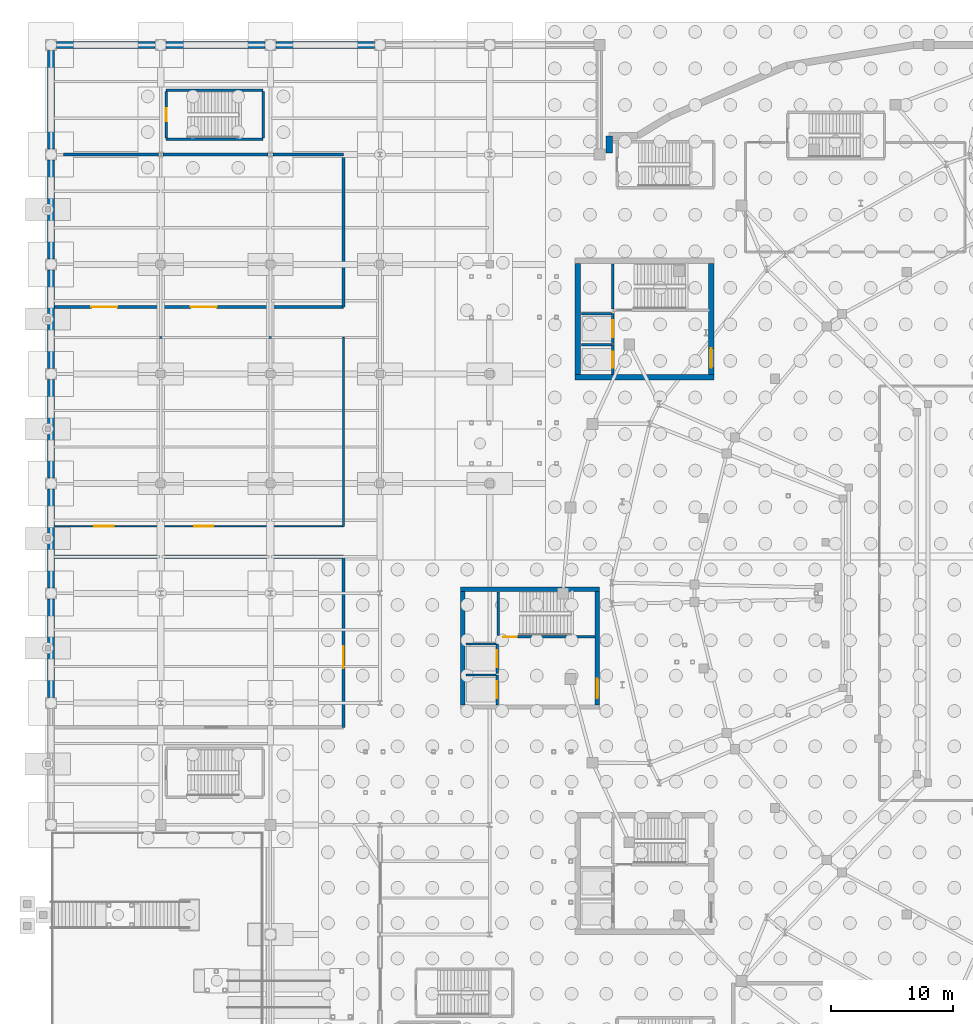
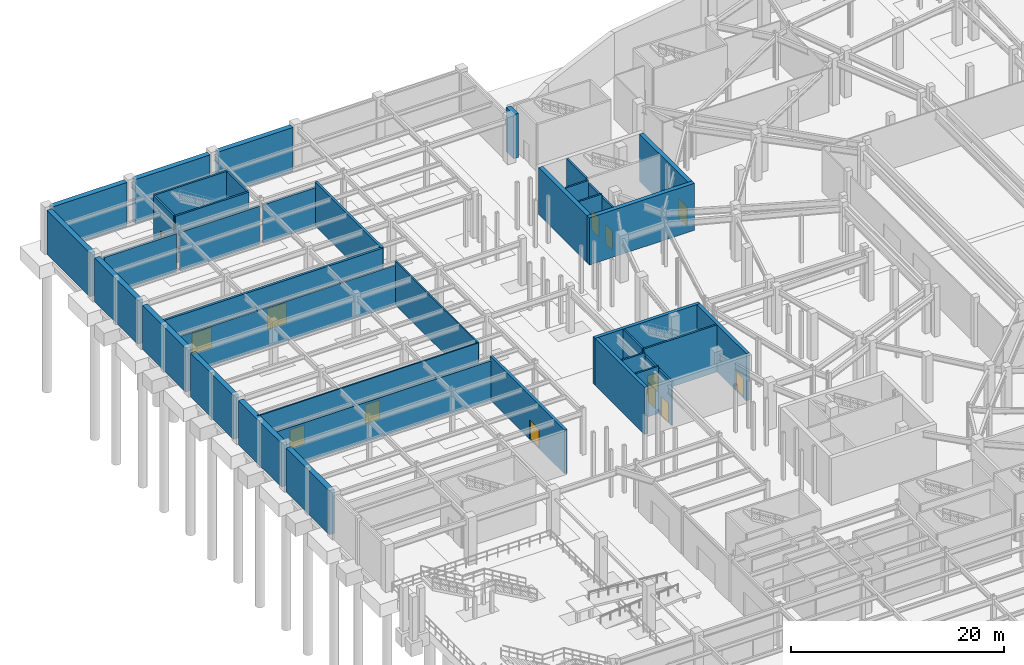
# One storey, part 44 of 56: 41 walls, 13 doors, 13 openings.
"""IFC4 building model written with IfcOpenShell, lengths in metres."""

from ifc_helpers import new_model, si_unit, direction, frame, frame_2d, origin, place, context, subcontext, project, spatial, rectangle, extrude, material, layer, layer_set, type_object, element, fill, save


model = new_model("IFC4")

# Units and contexts
model_context = context("Model", 3, precision=1e-05, world=origin(), true_north=direction((0.0, 1.0)))
body_context = subcontext(model_context, "Body", "Model", "MODEL_VIEW")
ifc_project = project(units=[si_unit("LENGTHUNIT", "METRE"), si_unit("AREAUNIT", "SQUARE_METRE"), si_unit("VOLUMEUNIT", "CUBIC_METRE"), si_unit("PLANEANGLEUNIT", "RADIAN"), si_unit("MASSUNIT", "GRAM", prefix="KILO")], contexts=[model_context])

# Site, building, storey
site_placement = place(None, origin())
site = spatial("IfcSite", under=ifc_project, at=site_placement, CompositionType="ELEMENT")
building_placement = place(site_placement, origin())
building = spatial("IfcBuilding", under=site, at=building_placement, Name="Glasvene Arena", CompositionType="ELEMENT")
storey_placement = place(building_placement, frame((0.0, 0.0, -5.39990234375)))
storey = spatial("IfcBuildingStorey", under=building, at=storey_placement, Name="B1", CompositionType="ELEMENT", Elevation=-5.39990234375)

# Walls
ifc_material_1 = material(Name="Concrete C40/50", Category="concrete")
ifc_layer_1 = layer(ifc_material_1, 0.35009765625)
ifc_layer_set_1 = layer_set([ifc_layer_1], Name="Concrete C40/50")
wall_type_1 = type_object("IfcWallType", Name="WL-CORE-350", PredefinedType="SHEAR", material=ifc_layer_set_1)
wall_1_placement = place(storey_placement, frame((33.60009765625, 73.324951171875, 0.0), z_axis=(0.0, 0.0, 1.0), x_axis=(1.0, 0.0, 0.0)))
element("IfcWall", 1, at=wall_1_placement, inside=storey, type_object=wall_type_1, Name="Core C5 West Media shear wall N B1", PredefinedType="SHEAR", context=body_context, shape_type="SweptSolid", body=[
    extrude(rectangle(XDim=11.39990234375, YDim=0.35009765625, at=frame_2d((5.699951171875, 0.0))), origin(), (0.0, 0.0, 1.0), 5.39990234375),
])
wall_2_placement = place(storey_placement, frame((33.77490234375, 63.85009765625, 0.0), z_axis=(0.0, 0.0, 1.0), x_axis=(0.0, 1.0, 0.0)))
element("IfcWall", 2, at=wall_2_placement, inside=storey, type_object=wall_type_1, Name="Core C5 West Media shear wall W B1", PredefinedType="SHEAR", context=body_context, shape_type="SweptSolid", body=[
    extrude(rectangle(XDim=9.2998046875, YDim=0.35009765625, at=frame_2d((4.64990234375, 0.0))), origin(), (0.0, 0.0, 1.0), 5.39990234375),
])

# Wall, opening, door
wall_3_placement = place(storey_placement, frame((44.824951171875, 63.85009765625, 0.0), z_axis=(0.0, 0.0, 1.0), x_axis=(0.0, 1.0, 0.0)))
wall_3 = element("IfcWall", 3, at=wall_3_placement, inside=storey, type_object=wall_type_1, Name="Core C5 West Media shear wall E B1", PredefinedType="SHEAR", context=body_context, shape_type="SweptSolid", body=[
    extrude(rectangle(XDim=9.2998046875, YDim=0.35009765625, at=frame_2d((4.64990234375, 0.0))), origin(), (0.0, 0.0, 1.0), 5.39990234375),
])
opening_1_placement = place(wall_3_placement, frame((0.550048828125, 0.0, 0.0)))
opening_1 = element("IfcOpeningElement", 4, at=opening_1_placement, cuts=wall_3, Name="Opening D-02", PredefinedType="OPENING", context=body_context, shape_type="SweptSolid", body=[
    extrude(rectangle(XDim=1.60009765625, YDim=2.199951171875, at=frame_2d((0.800048828125, 1.10009765625))), frame((0.0, 0.18505859375, 0.0), z_axis=(0.0, -1.0, 0.0), x_axis=(1.0, 0.0, 0.0)), (0.0, 0.0, 1.0), 0.3701171875),
])
ifc_material_2 = material(Name="Painted fire-resisting steel", Category="steel")
door_type_1 = type_object("IfcDoorType", Name="DR-FD60-1600", OperationType="DOUBLE_DOOR_SINGLE_SWING", PredefinedType="DOOR", material=ifc_material_2)
door_1_placement = place(opening_1_placement, frame((1.60009765625, 0.0, 0.0), z_axis=(0.0, 0.0, 1.0), x_axis=(-1.0, 0.0, 0.0)))
door_1 = element("IfcDoor", 5, at=door_1_placement, inside=storey, type_object=door_type_1, Name="Core firefighting lobby concourse door C5-B1", OperationType="DOUBLE_DOOR_SINGLE_SWING", OverallHeight=2.199951171875, OverallWidth=1.60009765625, PredefinedType="DOOR", context=body_context, shape_type="SweptSolid", body=[
    extrude(rectangle(XDim=1.60009765625, YDim=2.199951171875, at=frame_2d((0.800048828125, 1.10009765625))), frame((0.0, 0.02490234375, 0.0), z_axis=(0.0, -1.0, 0.0), x_axis=(1.0, 0.0, 0.0)), (0.0, 0.0, 1.0), 0.050048828125),
])
fill(opening_1, door_1)

# Walls
ifc_layer_2 = layer(ifc_material_1, 0.449951171875)
ifc_layer_set_2 = layer_set([ifc_layer_2], Name="Concrete C40/50")
wall_type_2 = type_object("IfcWallType", Name="WL-CORE-450", PredefinedType="SHEAR", material=ifc_layer_set_2)
wall_4_placement = place(storey_placement, frame((43.0, 90.72509765625, 0.0), z_axis=(0.0, 0.0, 1.0), x_axis=(1.0, 0.0, 0.0)))
element("IfcWall", 6, at=wall_4_placement, inside=storey, type_object=wall_type_2, Name="Core C1 North-West shear wall S B1", PredefinedType="SHEAR", context=body_context, shape_type="SweptSolid", body=[
    extrude(rectangle(XDim=11.39990234375, YDim=0.449951171875, at=frame_2d((5.699951171875, 0.0))), origin(), (0.0, 0.0, 1.0), 5.39990234375),
])
wall_5_placement = place(storey_placement, frame((43.22509765625, 90.949951171875, 0.0), z_axis=(0.0, 0.0, 1.0), x_axis=(0.0, 1.0, 0.0)))
element("IfcWall", 7, at=wall_5_placement, inside=storey, type_object=wall_type_2, Name="Core C1 North-West shear wall W B1", PredefinedType="SHEAR", context=body_context, shape_type="SweptSolid", body=[
    extrude(rectangle(XDim=9.10009765625, YDim=0.449951171875, at=frame_2d((4.550048828125, 0.0))), origin(), (0.0, 0.0, 1.0), 5.39990234375),
])

# Wall, opening, door
wall_6_placement = place(storey_placement, frame((54.175048828125, 90.949951171875, 0.0), z_axis=(0.0, 0.0, 1.0), x_axis=(0.0, 1.0, 0.0)))
wall_6 = element("IfcWall", 8, at=wall_6_placement, inside=storey, type_object=wall_type_2, Name="Core C1 North-West shear wall E B1", PredefinedType="SHEAR", context=body_context, shape_type="SweptSolid", body=[
    extrude(rectangle(XDim=9.10009765625, YDim=0.449951171875, at=frame_2d((4.550048828125, 0.0))), origin(), (0.0, 0.0, 1.0), 5.39990234375),
])
opening_2_placement = place(wall_6_placement, frame((0.550048828125, 0.0, 0.0)))
opening_2 = element("IfcOpeningElement", 9, at=opening_2_placement, cuts=wall_6, Name="Opening D-02", PredefinedType="OPENING", context=body_context, shape_type="SweptSolid", body=[
    extrude(rectangle(XDim=1.60009765625, YDim=2.199951171875, at=frame_2d((0.800048828125, 1.10009765625))), frame((0.0, 0.23486328125, 0.0), z_axis=(0.0, -1.0, 0.0), x_axis=(1.0, 0.0, 0.0)), (0.0, 0.0, 1.0), 0.469970703125),
])
door_2_placement = place(opening_2_placement, frame((1.60009765625, 0.0, 0.0), z_axis=(0.0, 0.0, 1.0), x_axis=(-1.0, 0.0, 0.0)))
door_2 = element("IfcDoor", 10, at=door_2_placement, inside=storey, type_object=door_type_1, Name="Core firefighting lobby concourse door C1-B1", OperationType="DOUBLE_DOOR_SINGLE_SWING", OverallHeight=2.199951171875, OverallWidth=1.60009765625, PredefinedType="DOOR", context=body_context, shape_type="SweptSolid", body=[
    extrude(rectangle(XDim=1.60009765625, YDim=2.199951171875, at=frame_2d((0.800048828125, 1.10009765625))), frame((0.0, 0.02490234375, 0.0), z_axis=(0.0, -1.0, 0.0), x_axis=(1.0, 0.0, 0.0)), (0.0, 0.0, 1.0), 0.050048828125),
])
fill(opening_2, door_2)

# Walls
ifc_layer_3 = layer(ifc_material_1, 0.25)
ifc_layer_set_3 = layer_set([ifc_layer_3], Name="Concrete C40/50")
wall_type_3 = type_object("IfcWallType", Name="WL-FIRE-250", PredefinedType="STANDARD", material=ifc_layer_set_3)
wall_7_placement = place(storey_placement, frame((1.0, 109.0, 0.0), z_axis=(0.0, 0.0, 1.0), x_axis=(1.0, 0.0, 0.0)))
element("IfcWall", 11, at=wall_7_placement, inside=storey, type_object=wall_type_3, Name="Interior partition wall IW-B1-0052 (Sprinkler Pump and Tank Room)", PredefinedType="STANDARD", context=body_context, shape_type="SweptSolid", body=[
    extrude(rectangle(XDim=7.798583984375, YDim=0.25, at=frame_2d((3.8994140625, 0.0))), origin(), (0.0, 0.0, 1.0), 4.42724609375),
])
wall_8_placement = place(storey_placement, frame((9.201416015625, 109.0, 0.0), z_axis=(0.0, 0.0, 1.0), x_axis=(1.0, 0.0, 0.0)))
element("IfcWall", 12, at=wall_8_placement, inside=storey, type_object=wall_type_3, Name="Interior partition wall IW-B1-0053 (Sprinkler Pump and Tank Room)", PredefinedType="STANDARD", context=body_context, shape_type="SweptSolid", body=[
    extrude(rectangle(XDim=8.59716796875, YDim=0.25, at=frame_2d((4.298583984375, 0.0))), origin(), (0.0, 0.0, 1.0), 4.42724609375),
])
wall_9_placement = place(storey_placement, frame((18.201416015625, 109.0, 0.0), z_axis=(0.0, 0.0, 1.0), x_axis=(1.0, 0.0, 0.0)))
element("IfcWall", 13, at=wall_9_placement, inside=storey, type_object=wall_type_3, Name="Interior partition wall IW-B1-0054 (Sprinkler Pump and Tank Room)", PredefinedType="STANDARD", context=body_context, shape_type="SweptSolid", body=[
    extrude(rectangle(XDim=5.798583984375, YDim=0.25, at=frame_2d((2.8994140625, 0.0))), origin(), (0.0, 0.0, 1.0), 4.42724609375),
])
wall_10_placement = place(storey_placement, frame((24.0, 109.0, 0.0), z_axis=(0.0, 0.0, 1.0), x_axis=(0.0, -1.0, 0.0)))
element("IfcWall", 14, at=wall_10_placement, inside=storey, type_object=wall_type_3, Name="Interior partition wall IW-B1-0055 (Sprinkler Pump and Tank Room)", PredefinedType="STANDARD", context=body_context, shape_type="SweptSolid", body=[
    extrude(rectangle(XDim=12.5, YDim=0.25, at=frame_2d((6.25, 0.0))), origin(), (0.0, 0.0, 1.0), 5.039794921875),
])

# Wall, openings, doors
wall_11_placement = place(storey_placement, frame((24.0, 96.5, 0.0), z_axis=(0.0, 0.0, 1.0), x_axis=(-1.0, 0.0, 0.0)))
wall_11 = element("IfcWall", 15, at=wall_11_placement, inside=storey, type_object=wall_type_3, Name="Interior partition wall IW-B1-0056 (Sprinkler Pump and Tank Room)", PredefinedType="STANDARD", context=body_context, shape_type="SweptSolid", body=[
    extrude(rectangle(XDim=23.9599609375, YDim=0.25, at=frame_2d((11.97998046875, 0.0))), origin(), (0.0, 0.0, 1.0), 5.039794921875),
])
opening_3_placement = place(wall_11_placement, frame((18.5869140625, 0.0, 0.0)))
opening_3 = element("IfcOpeningElement", 16, at=opening_3_placement, cuts=wall_11, Name="Opening D-10", PredefinedType="OPENING", context=body_context, shape_type="SweptSolid", body=[
    extrude(rectangle(XDim=2.10009765625, YDim=2.39990234375, at=frame_2d((1.050048828125, 1.199951171875))), frame((0.0, 0.135009765625, 0.0), z_axis=(0.0, -1.0, 0.0), x_axis=(1.0, 0.0, 0.0)), (0.0, 0.0, 1.0), 0.27001953125),
])
opening_4_placement = place(wall_11_placement, frame((10.419921875, 0.0, 0.0)))
opening_4 = element("IfcOpeningElement", 17, at=opening_4_placement, cuts=wall_11, Name="Opening D-10", PredefinedType="OPENING", context=body_context, shape_type="SweptSolid", body=[
    extrude(rectangle(XDim=2.10009765625, YDim=2.39990234375, at=frame_2d((1.050048828125, 1.199951171875))), frame((0.0, 0.135009765625, 0.0), z_axis=(0.0, -1.0, 0.0), x_axis=(1.0, 0.0, 0.0)), (0.0, 0.0, 1.0), 0.27001953125),
])
ifc_material_3 = material(Name="Galvanised acoustic steel", Category="steel")
door_type_2 = type_object("IfcDoorType", Name="DR-PLANT-2100", OperationType="DOUBLE_DOOR_SINGLE_SWING", PredefinedType="DOOR", material=ifc_material_3)
door_3_placement = place(opening_3_placement, origin())
door_3 = element("IfcDoor", 18, at=door_3_placement, inside=storey, type_object=door_type_2, Name="Interior door DR-PLANT-2100 (Sprinkler Pump and Tank Room)", OperationType="DOUBLE_DOOR_SINGLE_SWING", OverallHeight=2.39990234375, OverallWidth=2.10009765625, PredefinedType="DOOR", context=body_context, shape_type="SweptSolid", body=[
    extrude(rectangle(XDim=2.10009765625, YDim=2.39990234375, at=frame_2d((1.050048828125, 1.199951171875))), frame((0.0, 0.02490234375, 0.0), z_axis=(0.0, -1.0, 0.0), x_axis=(1.0, 0.0, 0.0)), (0.0, 0.0, 1.0), 0.050048828125),
])
fill(opening_3, door_3)
door_4_placement = place(opening_4_placement, origin())
door_4 = element("IfcDoor", 19, at=door_4_placement, inside=storey, type_object=door_type_2, Name="Interior door DR-PLANT-2100 (Sprinkler Pump and Tank Room)", OperationType="DOUBLE_DOOR_SINGLE_SWING", OverallHeight=2.39990234375, OverallWidth=2.10009765625, PredefinedType="DOOR", context=body_context, shape_type="SweptSolid", body=[
    extrude(rectangle(XDim=2.10009765625, YDim=2.39990234375, at=frame_2d((1.050048828125, 1.199951171875))), frame((0.0, 0.02490234375, 0.0), z_axis=(0.0, -1.0, 0.0), x_axis=(1.0, 0.0, 0.0)), (0.0, 0.0, 1.0), 0.050048828125),
])
fill(opening_4, door_4)

# Walls
ifc_material_4 = material(Name="Insulated acoustic metal-stud partition")
ifc_layer_4 = layer(ifc_material_4, 0.14990234375)
ifc_layer_set_4 = layer_set([ifc_layer_4], Name="Insulated acoustic metal-stud partition")
wall_type_4 = type_object("IfcWallType", Name="WL-PART-150", PredefinedType="PARTITIONING", material=ifc_layer_set_4)
wall_12_placement = place(storey_placement, frame((0.0400390625, 94.0, 0.0), z_axis=(0.0, 0.0, 1.0), x_axis=(1.0, 0.0, 0.0)))
element("IfcWall", 20, at=wall_12_placement, inside=storey, type_object=wall_type_4, Name="Interior partition wall IW-B1-0049 (Equipment and Court Flooring Store)", PredefinedType="PARTITIONING", context=body_context, shape_type="SweptSolid", body=[
    extrude(rectangle(XDim=23.9599609375, YDim=0.14990234375, at=frame_2d((11.97998046875, 0.0))), origin(), (0.0, 0.0, 1.0), 4.577880859375),
])
wall_13_placement = place(storey_placement, frame((24.0, 94.0, 0.0), z_axis=(0.0, 0.0, 1.0), x_axis=(0.0, -1.0, 0.0)))
element("IfcWall", 21, at=wall_13_placement, inside=storey, type_object=wall_type_4, Name="Interior partition wall IW-B1-0050 (Equipment and Court Flooring Store)", PredefinedType="PARTITIONING", context=body_context, shape_type="SweptSolid", body=[
    extrude(rectangle(XDim=15.5, YDim=0.14990234375, at=frame_2d((7.75, 0.0))), origin(), (0.0, 0.0, 1.0), 5.039794921875),
])

# Wall, openings, doors
wall_14_placement = place(storey_placement, frame((24.0, 78.5, 0.0), z_axis=(0.0, 0.0, 1.0), x_axis=(-1.0, 0.0, 0.0)))
wall_14 = element("IfcWall", 22, at=wall_14_placement, inside=storey, type_object=wall_type_4, Name="Interior partition wall IW-B1-0051 (Equipment and Court Flooring Store)", PredefinedType="PARTITIONING", context=body_context, shape_type="SweptSolid", body=[
    extrude(rectangle(XDim=23.9599609375, YDim=0.14990234375, at=frame_2d((11.97998046875, 0.0))), origin(), (0.0, 0.0, 1.0), 5.039794921875),
])
opening_5_placement = place(wall_14_placement, frame((18.8369140625, 0.0, 0.0)))
opening_5 = element("IfcOpeningElement", 23, at=opening_5_placement, cuts=wall_14, Name="Opening D-02", PredefinedType="OPENING", context=body_context, shape_type="SweptSolid", body=[
    extrude(rectangle(XDim=1.60009765625, YDim=2.199951171875, at=frame_2d((0.800048828125, 1.10009765625))), frame((0.0, 0.0849609375, 0.0), z_axis=(0.0, -1.0, 0.0), x_axis=(1.0, 0.0, 0.0)), (0.0, 0.0, 1.0), 0.169921875),
])
opening_6_placement = place(wall_14_placement, frame((10.669921875, 0.0, 0.0)))
opening_6 = element("IfcOpeningElement", 24, at=opening_6_placement, cuts=wall_14, Name="Opening D-02", PredefinedType="OPENING", context=body_context, shape_type="SweptSolid", body=[
    extrude(rectangle(XDim=1.60009765625, YDim=2.199951171875, at=frame_2d((0.800048828125, 1.10009765625))), frame((0.0, 0.0849609375, 0.0), z_axis=(0.0, -1.0, 0.0), x_axis=(1.0, 0.0, 0.0)), (0.0, 0.0, 1.0), 0.169921875),
])
door_5_placement = place(opening_5_placement, origin())
door_5 = element("IfcDoor", 25, at=door_5_placement, inside=storey, type_object=door_type_1, Name="Interior door DR-FD60-1600 (Equipment and Court Flooring Store)", OperationType="DOUBLE_DOOR_SINGLE_SWING", OverallHeight=2.199951171875, OverallWidth=1.60009765625, PredefinedType="DOOR", context=body_context, shape_type="SweptSolid", body=[
    extrude(rectangle(XDim=1.60009765625, YDim=2.199951171875, at=frame_2d((0.800048828125, 1.10009765625))), frame((0.0, 0.02490234375, 0.0), z_axis=(0.0, -1.0, 0.0), x_axis=(1.0, 0.0, 0.0)), (0.0, 0.0, 1.0), 0.050048828125),
])
fill(opening_5, door_5)
door_6_placement = place(opening_6_placement, origin())
door_6 = element("IfcDoor", 26, at=door_6_placement, inside=storey, type_object=door_type_1, Name="Interior door DR-FD60-1600 (Equipment and Court Flooring Store)", OperationType="DOUBLE_DOOR_SINGLE_SWING", OverallHeight=2.199951171875, OverallWidth=1.60009765625, PredefinedType="DOOR", context=body_context, shape_type="SweptSolid", body=[
    extrude(rectangle(XDim=1.60009765625, YDim=2.199951171875, at=frame_2d((0.800048828125, 1.10009765625))), frame((0.0, 0.02490234375, 0.0), z_axis=(0.0, -1.0, 0.0), x_axis=(1.0, 0.0, 0.0)), (0.0, 0.0, 1.0), 0.050048828125),
])
fill(opening_6, door_6)

# Walls
ifc_layer_5 = layer(ifc_material_1, 0.550048828125)
ifc_layer_set_5 = layer_set([ifc_layer_5], Name="Concrete C40/50")
wall_type_5 = type_object("IfcWallType", Name="WL-RET-550", PredefinedType="SOLIDWALL", material=ifc_layer_set_5)
for number, where, z_axis, x_axis, name in (
    (27, (0.0, 64.451904296875, 0.0), (0.0, 0.0, 1.0), (0.0, 1.0, 0.0), "Basement retaining wall B1-002"),
    (28, (0.0, 73.451904296875, 0.0), (0.0, 0.0, 1.0), (0.0, 1.0, 0.0), "Basement retaining wall B1-003"),
    (29, (0.0, 82.451904296875, 0.0), (0.0, 0.0, 1.0), (0.0, 1.0, 0.0), "Basement retaining wall B1-004"),
    (30, (0.0, 91.451904296875, 0.0), (0.0, 0.0, 1.0), (0.0, 1.0, 0.0), "Basement retaining wall B1-005"),
    (31, (0.0, 100.451904296875, 0.0), (0.0, 0.0, 1.0), (0.0, 1.0, 0.0), "Basement retaining wall B1-006"),
    (32, (0.0, 109.451904296875, 0.0), (0.0, 0.0, 1.0), (0.0, 1.0, 0.0), "Basement retaining wall B1-007"),
    (33, (0.451904296875, 118.0, 0.0), (0.0, 0.0, 1.0), (1.0, 0.0, 0.0), "Basement retaining wall B1-008"),
    (34, (9.451904296875, 118.0, 0.0), (0.0, 0.0, 1.0), (1.0, 0.0, 0.0), "Basement retaining wall B1-009"),
    (35, (18.451904296875, 118.0, 0.0), (0.0, 0.0, 1.0), (1.0, 0.0, 0.0), "Basement retaining wall B1-010"),
):
    element("IfcWall", number, at=place(storey_placement, frame(where, z_axis=z_axis, x_axis=x_axis)), inside=storey, type_object=wall_type_5, Name=name, PredefinedType="SOLIDWALL", context=body_context, shape_type="SweptSolid", body=[
        extrude(rectangle(XDim=8.09619140625, YDim=0.550048828125, at=frame_2d((4.048095703125, 0.0))), origin(), (0.0, 0.0, 1.0), 5.039794921875),
    ])
wall_15_placement = place(storey_placement, frame((45.800048828125, 109.1357421875, 0.0), z_axis=(0.0, 0.0, 1.0), x_axis=(0.0, 1.0, 0.0)))
element("IfcWall", 36, at=wall_15_placement, inside=storey, type_object=wall_type_5, Name="Basement retaining wall B1-014", PredefinedType="SOLIDWALL", context=body_context, shape_type="SweptSolid", body=[
    extrude(rectangle(XDim=1.414306640625, YDim=0.550048828125, at=frame_2d((0.70703125, 0.0))), origin(), (0.0, 0.0, 1.0), 5.039794921875),
])

# Wall, opening, door
ifc_layer_6 = layer(ifc_material_1, 0.199951171875)
ifc_layer_set_6 = layer_set([ifc_layer_6], Name="Concrete C40/50")
wall_type_6 = type_object("IfcWallType", Name="WL-SHAFT-200", PredefinedType="SHEAR", material=ifc_layer_set_6)
wall_16_placement = place(storey_placement, frame((46.10009765625, 90.949951171875, 0.0), z_axis=(0.0, 0.0, 1.0), x_axis=(0.0, 1.0, 0.0)))
wall_16 = element("IfcWall", 37, at=wall_16_placement, inside=storey, type_object=wall_type_6, Name="Lift shaft front wall FFL-01 B1", PredefinedType="SHEAR", context=body_context, shape_type="SweptSolid", body=[
    extrude(rectangle(XDim=2.449951171875, YDim=0.199951171875, at=frame_2d((1.22509765625, 0.0))), origin(), (0.0, 0.0, 1.0), 5.039794921875),
])
opening_7_placement = place(wall_16_placement, frame((0.574951171875, 0.0, 0.0)))
opening_7 = element("IfcOpeningElement", 38, at=opening_7_placement, cuts=wall_16, Name="Opening LD-FF", PredefinedType="OPENING", context=body_context, shape_type="SweptSolid", body=[
    extrude(rectangle(XDim=1.300048828125, YDim=2.199951171875, at=frame_2d((0.64990234375, 1.10009765625))), frame((0.0, 0.10986328125, 0.0), z_axis=(0.0, -1.0, 0.0), x_axis=(1.0, 0.0, 0.0)), (0.0, 0.0, 1.0), 0.219970703125),
])
ifc_material_5 = material(Name="Brushed stainless steel", Category="steel")
door_type_3 = type_object("IfcDoorType", Name="LD-FFL-1300", OperationType="DOUBLE_DOOR_SLIDING", PredefinedType="DOOR", material=ifc_material_5)
door_7_placement = place(opening_7_placement, origin())
door_7 = element("IfcDoor", 39, at=door_7_placement, inside=storey, type_object=door_type_3, Name="Lift sliding landing door LD-FFL-01-B1", OperationType="DOUBLE_DOOR_SLIDING", OverallHeight=2.199951171875, OverallWidth=1.300048828125, PredefinedType="DOOR", context=body_context, shape_type="SweptSolid", body=[
    extrude(rectangle(XDim=1.300048828125, YDim=2.199951171875, at=frame_2d((0.64990234375, 1.10009765625))), frame((0.0, 0.02490234375, 0.0), z_axis=(0.0, -1.0, 0.0), x_axis=(1.0, 0.0, 0.0)), (0.0, 0.0, 1.0), 0.050048828125),
])
fill(opening_7, door_7)

wall_17_placement = place(storey_placement, frame((46.10009765625, 93.5, 0.0), z_axis=(0.0, 0.0, 1.0), x_axis=(0.0, 1.0, 0.0)))
wall_17 = element("IfcWall", 40, at=wall_17_placement, inside=storey, type_object=wall_type_6, Name="Lift shaft front wall PL-01 B1", PredefinedType="SHEAR", context=body_context, shape_type="SweptSolid", body=[
    extrude(rectangle(XDim=2.449951171875, YDim=0.199951171875, at=frame_2d((1.22509765625, 0.0))), origin(), (0.0, 0.0, 1.0), 5.039794921875),
])
opening_8_placement = place(wall_17_placement, frame((0.52490234375, 0.0, 0.0)))
opening_8 = element("IfcOpeningElement", 41, at=opening_8_placement, cuts=wall_17, Name="Opening LD-PL", PredefinedType="OPENING", context=body_context, shape_type="SweptSolid", body=[
    extrude(rectangle(XDim=1.39990234375, YDim=2.199951171875, at=frame_2d((0.699951171875, 1.10009765625))), frame((0.0, 0.10986328125, 0.0), z_axis=(0.0, -1.0, 0.0), x_axis=(1.0, 0.0, 0.0)), (0.0, 0.0, 1.0), 0.219970703125),
])
door_type_4 = type_object("IfcDoorType", Name="LD-PL-1400", OperationType="DOUBLE_DOOR_SLIDING", PredefinedType="DOOR", material=ifc_material_5)
door_8_placement = place(opening_8_placement, origin())
door_8 = element("IfcDoor", 42, at=door_8_placement, inside=storey, type_object=door_type_4, Name="Lift sliding landing door LD-PL-01-B1", OperationType="DOUBLE_DOOR_SLIDING", OverallHeight=2.199951171875, OverallWidth=1.39990234375, PredefinedType="DOOR", context=body_context, shape_type="SweptSolid", body=[
    extrude(rectangle(XDim=1.39990234375, YDim=2.199951171875, at=frame_2d((0.699951171875, 1.10009765625))), frame((0.0, 0.02490234375, 0.0), z_axis=(0.0, -1.0, 0.0), x_axis=(1.0, 0.0, 0.0)), (0.0, 0.0, 1.0), 0.050048828125),
])
fill(opening_8, door_8)

wall_18_placement = place(storey_placement, frame((36.60009765625, 63.85009765625, 0.0), z_axis=(0.0, 0.0, 1.0), x_axis=(0.0, 1.0, 0.0)))
wall_18 = element("IfcWall", 43, at=wall_18_placement, inside=storey, type_object=wall_type_6, Name="Lift shaft front wall PL-05 B1", PredefinedType="SHEAR", context=body_context, shape_type="SweptSolid", body=[
    extrude(rectangle(XDim=2.449951171875, YDim=0.199951171875, at=frame_2d((1.22509765625, 0.0))), origin(), (0.0, 0.0, 1.0), 5.039794921875),
])
opening_9_placement = place(wall_18_placement, frame((0.52490234375, 0.0, 0.0)))
opening_9 = element("IfcOpeningElement", 44, at=opening_9_placement, cuts=wall_18, Name="Opening LD-PL", PredefinedType="OPENING", context=body_context, shape_type="SweptSolid", body=[
    extrude(rectangle(XDim=1.39990234375, YDim=2.199951171875, at=frame_2d((0.699951171875, 1.10009765625))), frame((0.0, 0.10986328125, 0.0), z_axis=(0.0, -1.0, 0.0), x_axis=(1.0, 0.0, 0.0)), (0.0, 0.0, 1.0), 0.219970703125),
])
door_9_placement = place(opening_9_placement, origin())
door_9 = element("IfcDoor", 45, at=door_9_placement, inside=storey, type_object=door_type_4, Name="Lift sliding landing door LD-PL-05-B1", OperationType="DOUBLE_DOOR_SLIDING", OverallHeight=2.199951171875, OverallWidth=1.39990234375, PredefinedType="DOOR", context=body_context, shape_type="SweptSolid", body=[
    extrude(rectangle(XDim=1.39990234375, YDim=2.199951171875, at=frame_2d((0.699951171875, 1.10009765625))), frame((0.0, 0.02490234375, 0.0), z_axis=(0.0, -1.0, 0.0), x_axis=(1.0, 0.0, 0.0)), (0.0, 0.0, 1.0), 0.050048828125),
])
fill(opening_9, door_9)

wall_19_placement = place(storey_placement, frame((36.60009765625, 66.39990234375, 0.0), z_axis=(0.0, 0.0, 1.0), x_axis=(0.0, 1.0, 0.0)))
wall_19 = element("IfcWall", 46, at=wall_19_placement, inside=storey, type_object=wall_type_6, Name="Lift shaft front wall PL-06 B1", PredefinedType="SHEAR", context=body_context, shape_type="SweptSolid", body=[
    extrude(rectangle(XDim=2.4501953125, YDim=0.199951171875, at=frame_2d((1.22509765625, 0.0))), origin(), (0.0, 0.0, 1.0), 5.039794921875),
])
opening_10_placement = place(wall_19_placement, frame((0.52490234375, 0.0, 0.0)))
opening_10 = element("IfcOpeningElement", 47, at=opening_10_placement, cuts=wall_19, Name="Opening LD-PL", PredefinedType="OPENING", context=body_context, shape_type="SweptSolid", body=[
    extrude(rectangle(XDim=1.39990234375, YDim=2.199951171875, at=frame_2d((0.699951171875, 1.10009765625))), frame((0.0, 0.10986328125, 0.0), z_axis=(0.0, -1.0, 0.0), x_axis=(1.0, 0.0, 0.0)), (0.0, 0.0, 1.0), 0.219970703125),
])
door_10_placement = place(opening_10_placement, origin())
door_10 = element("IfcDoor", 48, at=door_10_placement, inside=storey, type_object=door_type_4, Name="Lift sliding landing door LD-PL-06-B1", OperationType="DOUBLE_DOOR_SLIDING", OverallHeight=2.199951171875, OverallWidth=1.39990234375, PredefinedType="DOOR", context=body_context, shape_type="SweptSolid", body=[
    extrude(rectangle(XDim=1.39990234375, YDim=2.199951171875, at=frame_2d((0.699951171875, 1.10009765625))), frame((0.0, 0.02490234375, 0.0), z_axis=(0.0, -1.0, 0.0), x_axis=(1.0, 0.0, 0.0)), (0.0, 0.0, 1.0), 0.050048828125),
])
fill(opening_10, door_10)

# Wall
wall_20_placement = place(storey_placement, frame((46.10009765625, 96.33203125, 0.0), z_axis=(0.0, 0.0, 1.0), x_axis=(0.0, 1.0, 0.0)))
element("IfcWall", 49, at=wall_20_placement, inside=storey, type_object=wall_type_6, Name="Escape stair shaft wall ST-01 B1 W", PredefinedType="SHEAR", context=body_context, shape_type="SweptSolid", body=[
    extrude(rectangle(XDim=3.68603515625, YDim=0.199951171875, at=frame_2d((1.843017578125, 0.0))), origin(), (0.0, 0.0, 1.0), 5.39990234375),
])

# Wall, opening, door
wall_21_placement = place(storey_placement, frame((36.699951171875, 69.429931640625, 0.0), z_axis=(0.0, 0.0, 1.0), x_axis=(1.0, 0.0, 0.0)))
wall_21 = element("IfcWall", 50, at=wall_21_placement, inside=storey, type_object=wall_type_6, Name="Escape stair shaft wall ST-07 B1 S", PredefinedType="SHEAR", context=body_context, shape_type="SweptSolid", body=[
    extrude(rectangle(XDim=7.949951171875, YDim=0.199951171875, at=frame_2d((3.97509765625, 0.0))), origin(), (0.0, 0.0, 1.0), 5.39990234375),
])
opening_11_placement = place(wall_21_placement, frame((0.39990234375, 0.0, 0.0)))
opening_11 = element("IfcOpeningElement", 51, at=opening_11_placement, cuts=wall_21, Name="Opening D-04", PredefinedType="OPENING", context=body_context, shape_type="SweptSolid", body=[
    extrude(rectangle(XDim=1.10009765625, YDim=2.14990234375, at=frame_2d((0.550048828125, 1.074951171875))), frame((0.0, 0.10986328125, 0.0), z_axis=(0.0, -1.0, 0.0), x_axis=(1.0, 0.0, 0.0)), (0.0, 0.0, 1.0), 0.219970703125),
])
door_type_5 = type_object("IfcDoorType", Name="DR-FD60-1100", OperationType="NOTDEFINED", PredefinedType="DOOR", material=ifc_material_2)
door_11_placement = place(opening_11_placement, frame((1.10009765625, 0.0, 0.0), z_axis=(0.0, 0.0, 1.0), x_axis=(-1.0, 0.0, 0.0)))
door_11 = element("IfcDoor", 52, at=door_11_placement, inside=storey, type_object=door_type_5, Name="Protected escape stair door ST-07 B1", OperationType="SINGLE_SWING_RIGHT", OverallHeight=2.14990234375, OverallWidth=1.10009765625, PredefinedType="DOOR", context=body_context, shape_type="SweptSolid", body=[
    extrude(rectangle(XDim=1.10009765625, YDim=2.14990234375, at=frame_2d((0.550048828125, 1.074951171875))), frame((0.0, 0.02490234375, 0.0), z_axis=(0.0, -1.0, 0.0), x_axis=(1.0, 0.0, 0.0)), (0.0, 0.0, 1.0), 0.050048828125),
])
fill(opening_11, door_11)

# Walls
wall_22_placement = place(storey_placement, frame((36.699951171875, 69.531982421875, 0.0), z_axis=(0.0, 0.0, 1.0), x_axis=(0.0, 1.0, 0.0)))
element("IfcWall", 53, at=wall_22_placement, inside=storey, type_object=wall_type_6, Name="Escape stair shaft wall ST-07 B1 W", PredefinedType="SHEAR", context=body_context, shape_type="SweptSolid", body=[
    extrude(rectangle(XDim=3.5859375, YDim=0.199951171875, at=frame_2d((1.79296875, 0.0))), origin(), (0.0, 0.0, 1.0), 5.39990234375),
])
wall_23_placement = place(storey_placement, frame((9.449951171875, 110.280029296875, 0.0), z_axis=(0.0, 0.0, 1.0), x_axis=(1.0, 0.0, 0.0)))
element("IfcWall", 54, at=wall_23_placement, inside=storey, type_object=wall_type_6, Name="Escape stair shaft wall ST-14 B1 S", PredefinedType="SHEAR", context=body_context, shape_type="SweptSolid", body=[
    extrude(rectangle(XDim=7.949951171875, YDim=0.199951171875, at=frame_2d((3.97509765625, 0.0))), origin(), (0.0, 0.0, 1.0), 5.39990234375),
])

# Wall, opening, door
wall_24_placement = place(storey_placement, frame((9.449951171875, 110.382080078125, 0.0), z_axis=(0.0, 0.0, 1.0), x_axis=(0.0, 1.0, 0.0)))
wall_24 = element("IfcWall", 55, at=wall_24_placement, inside=storey, type_object=wall_type_6, Name="Escape stair shaft wall ST-14 B1 W", PredefinedType="SHEAR", context=body_context, shape_type="SweptSolid", body=[
    extrude(rectangle(XDim=3.785888671875, YDim=0.199951171875, at=frame_2d((1.89306640625, 0.0))), origin(), (0.0, 0.0, 1.0), 5.39990234375),
])
opening_12_placement = place(wall_24_placement, frame((1.343017578125, 0.0, 0.0)))
opening_12 = element("IfcOpeningElement", 56, at=opening_12_placement, cuts=wall_24, Name="Opening D-04", PredefinedType="OPENING", context=body_context, shape_type="SweptSolid", body=[
    extrude(rectangle(XDim=1.10009765625, YDim=2.14990234375, at=frame_2d((0.550048828125, 1.074951171875))), frame((0.0, 0.10986328125, 0.0), z_axis=(0.0, -1.0, 0.0), x_axis=(1.0, 0.0, 0.0)), (0.0, 0.0, 1.0), 0.219970703125),
])
door_12_placement = place(opening_12_placement, frame((1.10009765625, 0.0, 0.0), z_axis=(0.0, 0.0, 1.0), x_axis=(-1.0, 0.0, 0.0)))
door_12 = element("IfcDoor", 57, at=door_12_placement, inside=storey, type_object=door_type_5, Name="Protected escape stair door ST-14 B1", OperationType="SINGLE_SWING_LEFT", OverallHeight=2.14990234375, OverallWidth=1.10009765625, PredefinedType="DOOR", context=body_context, shape_type="SweptSolid", body=[
    extrude(rectangle(XDim=1.10009765625, YDim=2.14990234375, at=frame_2d((0.550048828125, 1.074951171875))), frame((0.0, 0.02490234375, 0.0), z_axis=(0.0, -1.0, 0.0), x_axis=(1.0, 0.0, 0.0)), (0.0, 0.0, 1.0), 0.050048828125),
])
fill(opening_12, door_12)

# Walls
wall_25_placement = place(storey_placement, frame((17.39990234375, 110.382080078125, 0.0), z_axis=(0.0, 0.0, 1.0), x_axis=(0.0, 1.0, 0.0)))
element("IfcWall", 58, at=wall_25_placement, inside=storey, type_object=wall_type_6, Name="Escape stair shaft wall ST-14 B1 E", PredefinedType="SHEAR", context=body_context, shape_type="SweptSolid", body=[
    extrude(rectangle(XDim=3.785888671875, YDim=0.199951171875, at=frame_2d((1.89306640625, 0.0))), origin(), (0.0, 0.0, 1.0), 5.39990234375),
])
wall_26_placement = place(storey_placement, frame((9.449951171875, 114.27001953125, 0.0), z_axis=(0.0, 0.0, 1.0), x_axis=(1.0, 0.0, 0.0)))
element("IfcWall", 59, at=wall_26_placement, inside=storey, type_object=wall_type_6, Name="Escape stair shaft wall ST-14 B1 N", PredefinedType="SHEAR", context=body_context, shape_type="SweptSolid", body=[
    extrude(rectangle(XDim=7.949951171875, YDim=0.199951171875, at=frame_2d((3.97509765625, 0.0))), origin(), (0.0, 0.0, 1.0), 5.39990234375),
])
ifc_material_6 = material(Name="Twin-frame acoustic gypsum partition")
ifc_layer_7 = layer(ifc_material_6, 0.280029296875)
ifc_layer_set_7 = layer_set([ifc_layer_7], Name="Twin-frame acoustic gypsum partition")
wall_type_7 = type_object("IfcWallType", Name="WL-STUDIO-280", PredefinedType="PARTITIONING", material=ifc_layer_set_7)
wall_27_placement = place(storey_placement, frame((0.0400390625, 76.0, 0.0), z_axis=(0.0, 0.0, 1.0), x_axis=(1.0, 0.0, 0.0)))
element("IfcWall", 60, at=wall_27_placement, inside=storey, type_object=wall_type_7, Name="Interior partition wall IW-B1-0046 (Athlete Strength and Conditioning Gym)", PredefinedType="PARTITIONING", context=body_context, shape_type="SweptSolid", body=[
    extrude(rectangle(XDim=23.9599609375, YDim=0.280029296875, at=frame_2d((11.97998046875, 0.0))), origin(), (0.0, 0.0, 1.0), 4.577880859375),
])

# Wall, opening, door
wall_28_placement = place(storey_placement, frame((24.0, 76.0, 0.0), z_axis=(0.0, 0.0, 1.0), x_axis=(0.0, -1.0, 0.0)))
wall_28 = element("IfcWall", 61, at=wall_28_placement, inside=storey, type_object=wall_type_7, Name="Interior partition wall IW-B1-0047 (Athlete Strength and Conditioning Gym)", PredefinedType="PARTITIONING", context=body_context, shape_type="SweptSolid", body=[
    extrude(rectangle(XDim=14.0, YDim=0.280029296875, at=frame_2d((7.0, 0.0))), origin(), (0.0, 0.0, 1.0), 5.039794921875),
])
opening_13_placement = place(wall_28_placement, frame((7.35009765625, 0.0, 0.0)))
opening_13 = element("IfcOpeningElement", 62, at=opening_13_placement, cuts=wall_28, Name="Opening D-01", PredefinedType="OPENING", context=body_context, shape_type="SweptSolid", body=[
    extrude(rectangle(XDim=1.800048828125, YDim=2.199951171875, at=frame_2d((0.89990234375, 1.10009765625))), frame((0.0, 0.14990234375, 0.0), z_axis=(0.0, -1.0, 0.0), x_axis=(1.0, 0.0, 0.0)), (0.0, 0.0, 1.0), 0.300048828125),
])
door_type_6 = type_object("IfcDoorType", Name="DR-FD60-1800", OperationType="DOUBLE_DOOR_SINGLE_SWING", PredefinedType="DOOR", material=ifc_material_2)
door_13_placement = place(opening_13_placement, origin())
door_13 = element("IfcDoor", 63, at=door_13_placement, inside=storey, type_object=door_type_6, Name="Interior door DR-FD60-1800 (Athlete Strength and Conditioning Gym)", OperationType="DOUBLE_DOOR_SINGLE_SWING", OverallHeight=2.199951171875, OverallWidth=1.800048828125, PredefinedType="DOOR", context=body_context, shape_type="SweptSolid", body=[
    extrude(rectangle(XDim=1.800048828125, YDim=2.199951171875, at=frame_2d((0.89990234375, 1.10009765625))), frame((0.0, 0.02490234375, 0.0), z_axis=(0.0, -1.0, 0.0), x_axis=(1.0, 0.0, 0.0)), (0.0, 0.0, 1.0), 0.050048828125),
])
fill(opening_13, door_13)

# Walls
ifc_material_7 = material(Name="Moisture-resistant masonry blockwork", Category="masonry")
ifc_layer_8 = layer(ifc_material_7, 0.179931640625)
ifc_layer_set_8 = layer_set([ifc_layer_8], Name="Moisture-resistant masonry blockwork")
wall_type_8 = type_object("IfcWallType", Name="WL-WET-180", PredefinedType="PARTITIONING", material=ifc_layer_set_8)
for number, where, z_axis, x_axis, name in (
    (64, (43.550048828125, 93.39990234375, 0.0), (0.0, 0.0, 1.0), (1.0, 0.0, 0.0), "Lift shaft divider wall C1 B1"),
    (65, (43.550048828125, 95.949951171875, 0.0), (0.0, 0.0, 1.0), (1.0, 0.0, 0.0), "Lift shaft north enclosure wall C1 B1"),
    (66, (34.050048828125, 66.300048828125, 0.0), (0.0, 0.0, 1.0), (1.0, 0.0, 0.0), "Lift shaft divider wall C5 B1"),
    (67, (34.050048828125, 68.85009765625, 0.0), (0.0, 0.0, 1.0), (1.0, 0.0, 0.0), "Lift shaft north enclosure wall C5 B1"),
):
    element("IfcWall", number, at=place(storey_placement, frame(where, z_axis=z_axis, x_axis=x_axis)), inside=storey, type_object=wall_type_8, Name=name, PredefinedType="PARTITIONING", context=body_context, shape_type="SweptSolid", body=[
        extrude(rectangle(XDim=2.449951171875, YDim=0.179931640625, at=frame_2d((1.22509765625, 0.0))), origin(), (0.0, 0.0, 1.0), 5.39990234375),
    ])

save(model, "model.ifc")
